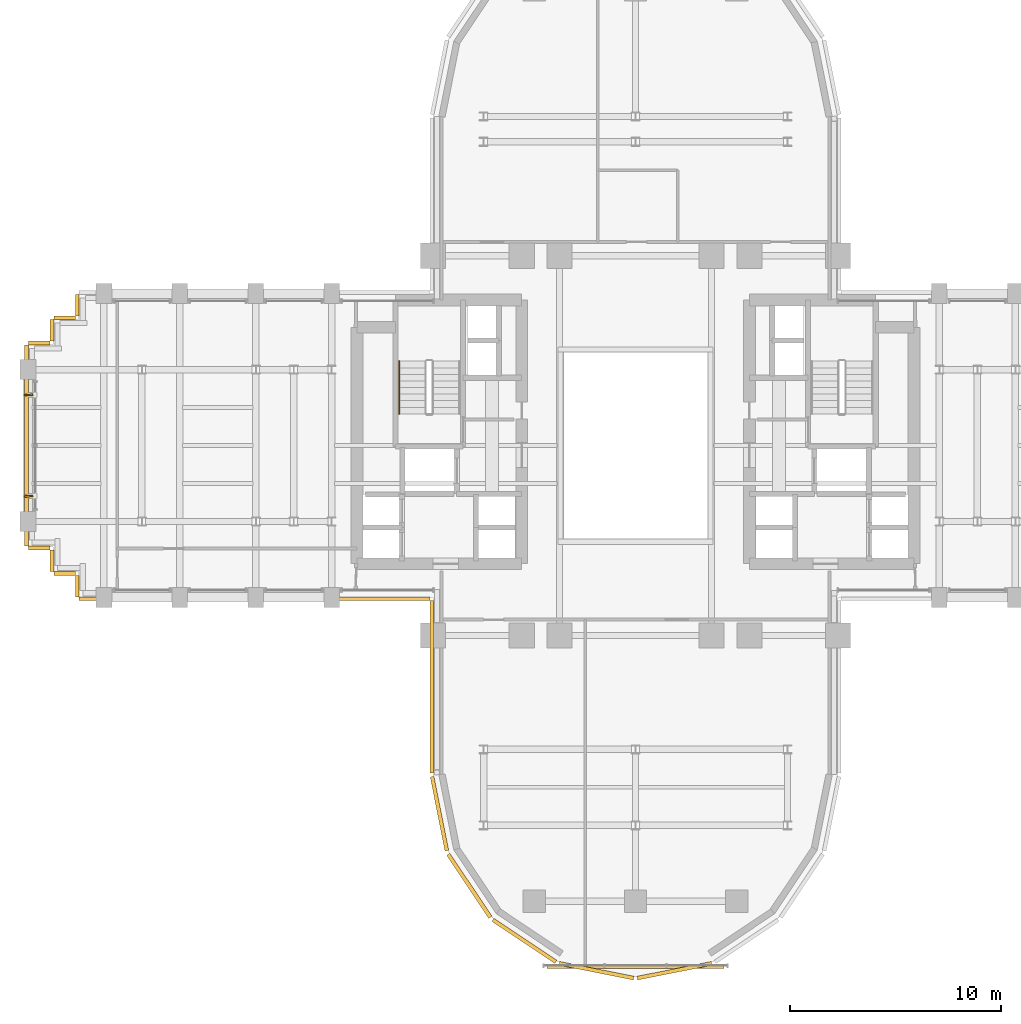
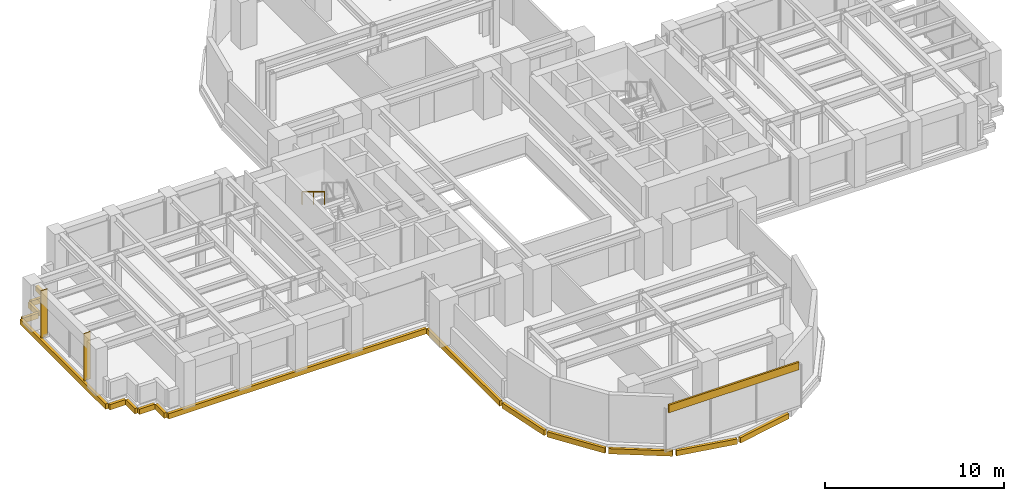
# One storey, part 13 of 16: 17 coverings, 2 shading devices, 1 railing.
"""IFC4 building model written with IfcOpenShell, lengths in metres."""

from ifc_helpers import new_model, si_unit, direction, frame, origin, origin_2d, place, context, subcontext, project, spatial, rectangle, extrude, source, transform, mapped, material, layer, layer_set, type_object, element, save


model = new_model("IFC4")

# Units and contexts
model_context = context("Model", 3, precision=1e-05, world=origin(), true_north=direction((0.0, 1.0)))
body_context = subcontext(model_context, "Body", "Model", "MODEL_VIEW")
ifc_project = project(units=[si_unit("LENGTHUNIT", "METRE"), si_unit("AREAUNIT", "SQUARE_METRE"), si_unit("VOLUMEUNIT", "CUBIC_METRE"), si_unit("PLANEANGLEUNIT", "RADIAN"), si_unit("MASSUNIT", "GRAM", prefix="KILO")], contexts=[model_context])

# Site, building, storey
site_placement = place(None, origin())
site = spatial("IfcSite", under=ifc_project, at=site_placement, CompositionType="ELEMENT")
building_placement = place(site_placement, origin())
building = spatial("IfcBuilding", under=site, at=building_placement, Name="Keilestroom Media Tower", CompositionType="ELEMENT")
storey_placement = place(building_placement, frame((0.0, 0.0, 37.39990234375)))
storey = spatial("IfcBuildingStorey", under=building, at=storey_placement, Name="L08", CompositionType="ELEMENT", Elevation=37.39990234375)

# Railing
ifc_material_1 = material(Name="Brushed Stainless Steel 1.4301", Category="steel")
railing_type = type_object("IfcRailingType", Name="Stair-Pitch-Handrail-920", PredefinedType="HANDRAIL", material=ifc_material_1)
railing_placement = place(storey_placement, frame((-11.2099609375, 3.99609375, 1.888916015625)))
element("IfcRailing", 1, at=railing_placement, inside=storey, type_object=railing_type, Name="L08 ST-1 stair handrail 2", PredefinedType="HANDRAIL", context=body_context, shape_type="SweptSolid", body=[
    extrude(rectangle(XDim=0.048095703125, YDim=0.048095703125, at=origin_2d()), frame((0.0, 0.0, 0.8759765625), z_axis=(0.0, -0.855433747314, 0.517912255074), x_axis=(1.0, 0.0, 0.0)), (0.0, 0.0, 1.0), 2.91796875),
    extrude(rectangle(XDim=0.0419921875, YDim=0.0419921875, at=origin_2d()), origin(), (0.0, 0.0, 1.0), 0.84375),
    extrude(rectangle(XDim=0.0419921875, YDim=0.0419921875, at=origin_2d()), frame((0.0, -1.248046875, 0.755615234375)), (0.0, 0.0, 1.0), 0.84375),
    extrude(rectangle(XDim=0.0419921875, YDim=0.0419921875, at=origin_2d()), frame((0.0, -2.49609375, 1.51123046875)), (0.0, 0.0, 1.0), 0.84375),
])

# Covering
ifc_material_2 = material(Name="Precast concrete C40/50", Category="concrete")
ifc_layer = layer(ifc_material_2, 0.1201171875)
ifc_layer_set = layer_set([ifc_layer], Name="Precast concrete C40/50")
covering_type = type_object("IfcCoveringType", Name="Exterior-Precast-Spandrel-Cladding-Panel-120", PredefinedType="CLADDING", material=ifc_layer_set)
shared_shape_1 = source(origin(), body_context, "Body", "SweptSolid", [
    extrude(rectangle(XDim=8.39990234375, YDim=0.1201171875, at=origin_2d()), origin(), (0.0, 0.0, 1.0), 0.52001953125),
])
covering_1_placement = place(storey_placement, frame((0.0, -24.719970703125, 2.690185546875), z_axis=(0.0, 0.0, 1.0), x_axis=(1.0, 0.0, 0.0)))
element("IfcCovering", 2, at=covering_1_placement, inside=storey, type_object=covering_type, Name="L08 Precast Spandrel Cladding S", PredefinedType="CLADDING", context=body_context, shape_type="MappedRepresentation", body=[
    mapped(shared_shape_1, transform((0.0, 0.0, 0.0), x_axis=(1.0, 0.0, 0.0), y_axis=(0.0, 1.0, 0.0), z_axis=(0.0, 0.0, 1.0), scale=1.0)),
])

# Shading devices
ifc_material_3 = material(Name="Bronze Anodised Aluminium", Category="aluminium")
shading_device_type = type_object("IfcShadingDeviceType", Name="Facade-Vertical-Sunshade-Fin-SHD-1", PredefinedType="USERDEFINED", material=ifc_material_3)
shared_shape_2 = source(origin(), body_context, "Body", "SweptSolid", [
    extrude(rectangle(XDim=0.419921875, YDim=0.080078125, at=origin_2d()), origin(), (0.0, 0.0, 1.0), 3.199951171875),
])
for number, where, z_axis, x_axis, name in (
    (3, (-28.77001953125, -2.39990234375, 0.0), (0.0, 0.0, 1.0), (0.999262916411, 0.038387809088, 0.0), "L08 Twisting Sunshade Fin SHD-1 005"),
    (4, (-28.77001953125, 2.39990234375, 0.0), (0.0, 0.0, 1.0), (0.999262916411, 0.038387809088, 0.0), "L08 Twisting Sunshade Fin SHD-1 006"),
):
    element("IfcShadingDevice", number, at=place(storey_placement, frame(where, z_axis=z_axis, x_axis=x_axis)), inside=storey, type_object=shading_device_type, Name=name, ObjectType="SUNSHADE", PredefinedType="USERDEFINED", context=body_context, shape_type="MappedRepresentation", body=[
        mapped(shared_shape_2, transform((0.0, 0.0, 0.0), x_axis=(1.0, 0.0, 0.0), y_axis=(0.0, 1.0, 0.0), z_axis=(0.0, 0.0, 1.0), scale=1.0)),
    ])

# Coverings
shared_shape_3 = source(origin(), body_context, "Body", "SweptSolid", [
    extrude(rectangle(XDim=1.02001953125, YDim=0.179931640625, at=origin_2d()), origin(), (0.0, 0.0, 1.0), 0.360107421875),
])
for number, where, z_axis, x_axis, name in (
    (5, (-26.4599609375, -6.659912109375, -0.5400390625), (0.0, 0.0, 1.0), (0.0, 1.0, 0.0), "L08 Precast Slab-Edge Fascia Cornice 17"),
    (6, (-27.06005859375, -6.06005859375, -0.5400390625), (0.0, 0.0, 1.0), (-1.0, 0.0, 0.0), "L08 Precast Slab-Edge Fascia Cornice 18"),
    (7, (-27.659912109375, -5.4599609375, -0.5400390625), (0.0, 0.0, 1.0), (0.0, 1.0, 0.0), "L08 Precast Slab-Edge Fascia Cornice 19"),
    (8, (-28.260009765625, -4.860107421875, -0.5400390625), (0.0, 0.0, 1.0), (-1.0, 0.0, 0.0), "L08 Precast Slab-Edge Fascia Cornice 20"),
    (9, (-28.260009765625, 4.860107421875, -0.5400390625), (0.0, 0.0, 1.0), (1.0, 0.0, 0.0), "L08 Precast Slab-Edge Fascia Cornice 22"),
    (10, (-27.659912109375, 5.4599609375, -0.5400390625), (0.0, 0.0, 1.0), (0.0, 1.0, 0.0), "L08 Precast Slab-Edge Fascia Cornice 23"),
    (11, (-27.06005859375, 6.06005859375, -0.5400390625), (0.0, 0.0, 1.0), (1.0, 0.0, 0.0), "L08 Precast Slab-Edge Fascia Cornice 24"),
    (12, (-26.4599609375, 6.659912109375, -0.5400390625), (0.0, 0.0, 1.0), (0.0, 1.0, 0.0), "L08 Precast Slab-Edge Fascia Cornice 25"),
):
    element("IfcCovering", number, at=place(storey_placement, frame(where, z_axis=z_axis, x_axis=x_axis)), inside=storey, type_object=covering_type, Name=name, PredefinedType="CLADDING", context=body_context, shape_type="MappedRepresentation", body=[
        mapped(shared_shape_3, transform((0.0, 0.0, 0.0), x_axis=(1.0, 0.0, 0.0), y_axis=(0.0, 1.0, 0.0), z_axis=(0.0, 0.0, 1.0), scale=1.0)),
    ])
shared_shape_4 = source(origin(), body_context, "Body", "SweptSolid", [
    extrude(rectangle(XDim=16.6201171875, YDim=0.179931640625, at=origin_2d()), origin(), (0.0, 0.0, 1.0), 0.360107421875),
])
covering_2_placement = place(storey_placement, frame((-18.06005859375, -7.260009765625, -0.5400390625), z_axis=(0.0, 0.0, 1.0), x_axis=(-1.0, 0.0, 0.0)))
element("IfcCovering", 13, at=covering_2_placement, inside=storey, type_object=covering_type, Name="L08 Precast Slab-Edge Fascia Cornice 16", PredefinedType="CLADDING", context=body_context, shape_type="MappedRepresentation", body=[
    mapped(shared_shape_4, transform((0.0, 0.0, 0.0), x_axis=(1.0, 0.0, 0.0), y_axis=(0.0, 1.0, 0.0), z_axis=(0.0, 0.0, 1.0), scale=1.0)),
])
shared_shape_5 = source(origin(), body_context, "Body", "SweptSolid", [
    extrude(rectangle(XDim=8.166015625, YDim=0.179931640625, at=origin_2d()), origin(), (0.0, 0.0, 1.0), 0.360107421875),
])
covering_3_placement = place(storey_placement, frame((-9.659912109375, -11.43310546875, -0.5400390625), z_axis=(0.0, 0.0, 1.0), x_axis=(0.0, 1.0, 0.0)))
element("IfcCovering", 14, at=covering_3_placement, inside=storey, type_object=covering_type, Name="L08 Precast Slab-Edge Fascia Cornice 15", PredefinedType="CLADDING", context=body_context, shape_type="MappedRepresentation", body=[
    mapped(shared_shape_5, transform((0.0, 0.0, 0.0), x_axis=(1.0, 0.0, 0.0), y_axis=(0.0, 1.0, 0.0), z_axis=(0.0, 0.0, 1.0), scale=1.0)),
])
shared_shape_6 = source(origin(), body_context, "Body", "SweptSolid", [
    extrude(rectangle(XDim=3.58349609375, YDim=0.179931640625, at=origin_2d()), origin(), (0.0, 0.0, 1.0), 0.360107421875),
])
covering_4_placement = place(storey_placement, frame((-9.29296875, -17.45166015625, -0.5400390625), z_axis=(0.0, 0.0, 1.0), x_axis=(-0.195098880975, 0.980783577882, 0.0)))
element("IfcCovering", 15, at=covering_4_placement, inside=storey, type_object=covering_type, Name="L08 Precast Slab-Edge Fascia Cornice 14", PredefinedType="CLADDING", context=body_context, shape_type="MappedRepresentation", body=[
    mapped(shared_shape_6, transform((0.0, 0.0, 0.0), x_axis=(1.0, 0.0, 0.0), y_axis=(0.0, 1.0, 0.0), z_axis=(0.0, 0.0, 1.0), scale=1.0)),
])
shared_shape_7 = source(origin(), body_context, "Body", "SweptSolid", [
    extrude(rectangle(XDim=3.589599609375, YDim=0.179931640625, at=origin_2d()), origin(), (0.0, 0.0, 1.0), 0.360107421875),
])
for number, where, z_axis, x_axis, name in (
    (16, (1.8486328125, -24.893310546875, -0.5400390625), (0.0, 0.0, 1.0), (-0.980783577882, -0.195098880975, 0.0), "L08 Precast Slab-Edge Fascia Cornice 10"),
    (17, (-1.8486328125, -24.893310546875, -0.5400390625), (0.0, 0.0, 1.0), (-0.980783577882, 0.195098880975, 0.0), "L08 Precast Slab-Edge Fascia Cornice 11"),
    (18, (-5.264404296875, -23.478515625, -0.5400390625), (0.0, 0.0, 1.0), (-0.831466703332, 0.555574586577, 0.0), "L08 Precast Slab-Edge Fascia Cornice 12"),
    (19, (-7.878662109375, -20.8642578125, -0.5400390625), (0.0, 0.0, 1.0), (-0.555574586577, 0.831466703332, 0.0), "L08 Precast Slab-Edge Fascia Cornice 13"),
):
    element("IfcCovering", number, at=place(storey_placement, frame(where, z_axis=z_axis, x_axis=x_axis)), inside=storey, type_object=covering_type, Name=name, PredefinedType="CLADDING", context=body_context, shape_type="MappedRepresentation", body=[
        mapped(shared_shape_7, transform((0.0, 0.0, 0.0), x_axis=(1.0, 0.0, 0.0), y_axis=(0.0, 1.0, 0.0), z_axis=(0.0, 0.0, 1.0), scale=1.0)),
    ])
shared_shape_8 = source(origin(), body_context, "Body", "SweptSolid", [
    extrude(rectangle(XDim=9.5400390625, YDim=0.179931640625, at=origin_2d()), origin(), (0.0, 0.0, 1.0), 0.360107421875),
])
covering_5_placement = place(storey_placement, frame((-28.860107421875, 0.0, -0.5400390625), z_axis=(0.0, 0.0, 1.0), x_axis=(0.0, 1.0, 0.0)))
element("IfcCovering", 20, at=covering_5_placement, inside=storey, type_object=covering_type, Name="L08 Precast Slab-Edge Fascia Cornice 21", PredefinedType="CLADDING", context=body_context, shape_type="MappedRepresentation", body=[
    mapped(shared_shape_8, transform((0.0, 0.0, 0.0), x_axis=(1.0, 0.0, 0.0), y_axis=(0.0, 1.0, 0.0), z_axis=(0.0, 0.0, 1.0), scale=1.0)),
])

save(model, "model.ifc")
